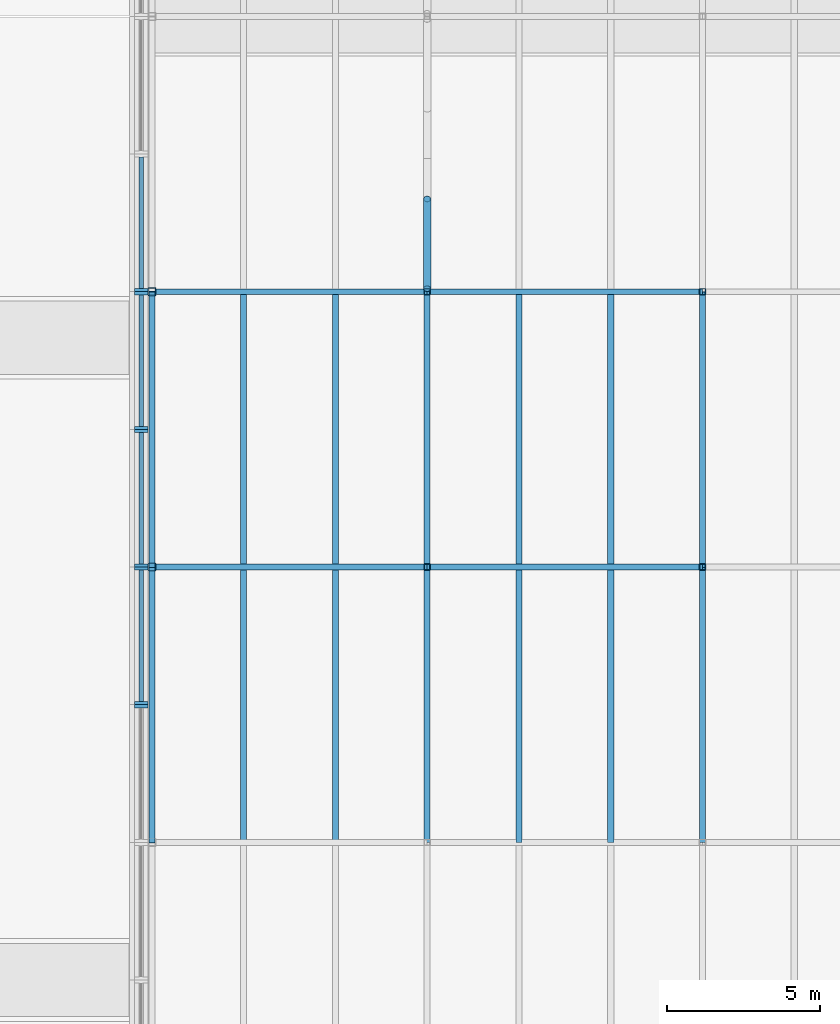
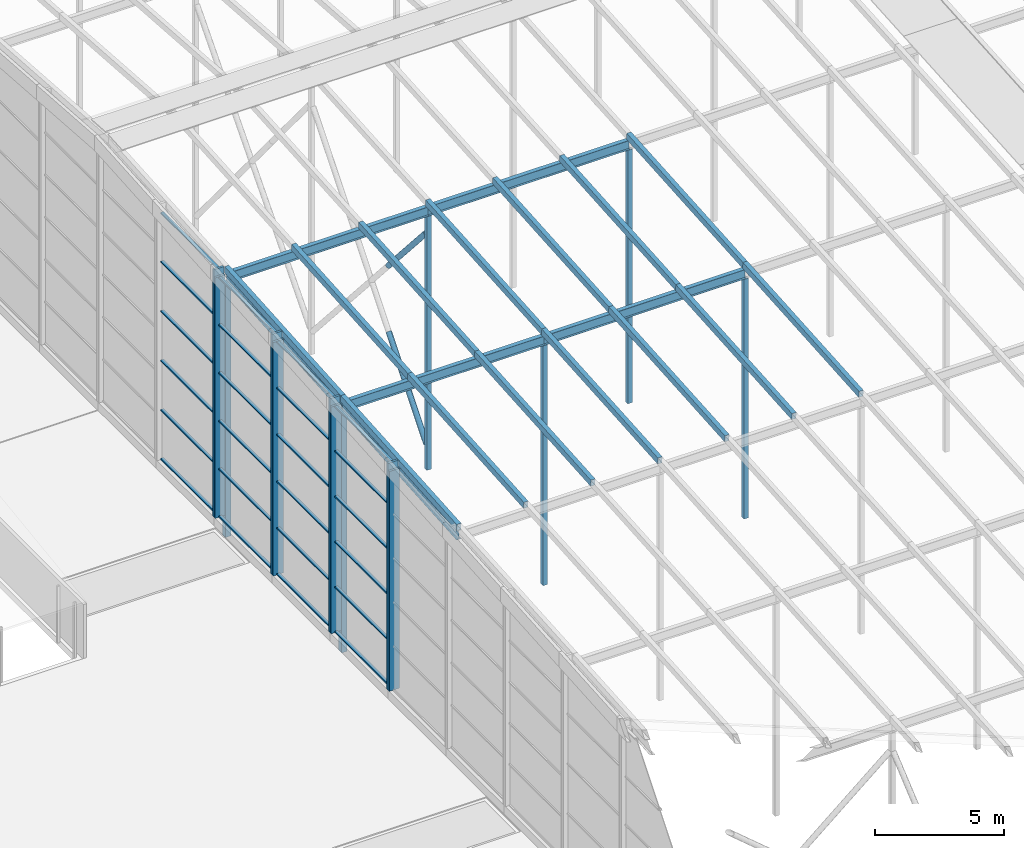
# One storey, part 10 of 84: 54 members, 6 beams, 5 elements without a shape of their own.
"""IFC4 building model written with IfcOpenShell, lengths in metres."""

from ifc_helpers import new_model, si_unit, direction, frame, origin, origin_2d, place, context, subcontext, project, spatial, rectangle, hollow_rectangle, hollow_circle, i_section, extrude, material, material_profile, profile_set, type_object, element, aggregate, save


model = new_model("IFC4")

# Units and contexts
model_context = context("Model", 3, precision=1e-05, world=origin(), true_north=direction((0.0, 1.0)))
body_context = subcontext(model_context, "Body", "Model", "MODEL_VIEW")
ifc_project = project(units=[si_unit("LENGTHUNIT", "METRE"), si_unit("AREAUNIT", "SQUARE_METRE"), si_unit("VOLUMEUNIT", "CUBIC_METRE"), si_unit("PLANEANGLEUNIT", "RADIAN"), si_unit("MASSUNIT", "GRAM", prefix="KILO")], contexts=[model_context])

# Site, building, storey
site_placement = place(None, origin())
site = spatial("IfcSite", under=ifc_project, at=site_placement, CompositionType="ELEMENT")
building_placement = place(site_placement, origin())
building = spatial("IfcBuilding", under=site, at=building_placement, Name="Silverbay Arena", CompositionType="ELEMENT")
storey_placement = place(building_placement, frame((0.0, 0.0, 47.10009765625)))
storey = spatial("IfcBuildingStorey", under=building, at=storey_placement, Name="ROOF", CompositionType="ELEMENT", Elevation=47.10009765625)

# Curtain wall, member
ifc_material_1 = material(Name="Aluminium framed glazing", Category="aluminium")
curtain_wall_type_1 = type_object("IfcCurtainWallType", Name="Curtain wall crown 4500 x 10400", PredefinedType="NOTDEFINED", material=ifc_material_1)
curtain_wall_1_placement = place(storey_placement, origin())
curtain_wall_1 = element("IfcCurtainWall", 1, at=curtain_wall_1_placement, inside=storey, type_object=curtain_wall_type_1, Name="ROOF CROWN CURTAIN WALL west bay 08", PredefinedType="NOTDEFINED")
ifc_material_2 = material(Name="Aluminium", Category="aluminium")
ifc_material_profile_1 = material_profile(ifc_material_2, rectangle(XDim=0.449951171875, YDim=0.10009765625, at=origin_2d()), Name="Mullion 100 x 450")
ifc_profile_set_1 = profile_set([ifc_material_profile_1], Name="Aluminium")
member_type_1 = type_object("IfcMemberType", Name="Mullion 100 x 450", PredefinedType="MULLION", material=ifc_profile_set_1)
placement = place(building_placement, frame((0.0, 0.0, 33.5)))
member_1_placement = place(placement, frame((80.64990234375, 58.449951171875, 14.050048828125), z_axis=(0.0, 0.0, 1.0), x_axis=(-1.0, 0.0, 0.0)))
member_1 = element("IfcMember", 2, at=member_1_placement, type_object=member_type_1, Name="CW70 mullion 2", PredefinedType="MULLION", context=body_context, shape_type="SweptSolid", body=[
    extrude(rectangle(XDim=0.449951171875, YDim=0.10009765625, at=origin_2d()), origin(), (0.0, 0.0, 1.0), 10.39990234375),
])
aggregate(curtain_wall_1, [member_1])

# Curtain wall, members
ifc_material_3 = material(Name="Aluminium framed glazing", Category="aluminium")
curtain_wall_type_2 = type_object("IfcCurtainWallType", Name="Curtain wall crown 4500 x 10725", PredefinedType="NOTDEFINED", material=ifc_material_3)
curtain_wall_2_placement = place(storey_placement, origin())
curtain_wall_2 = element("IfcCurtainWall", 3, at=curtain_wall_2_placement, inside=storey, type_object=curtain_wall_type_2, Name="ROOF CROWN CURTAIN WALL west bay 09", PredefinedType="NOTDEFINED")
member_2_placement = place(placement, frame((80.64990234375, 58.550048828125, 14.050048828125), z_axis=(0.0, 0.0, 1.0), x_axis=(-1.0, 0.0, 0.0)))
member_2 = element("IfcMember", 4, at=member_2_placement, type_object=member_type_1, Name="CW71 mullion 1", PredefinedType="MULLION", context=body_context, shape_type="SweptSolid", body=[
    extrude(rectangle(XDim=0.449951171875, YDim=0.10009765625, at=origin_2d()), origin(), (0.0, 0.0, 1.0), 10.724853515625),
])
member_3_placement = place(placement, frame((80.64990234375, 62.949951171875, 14.050048828125), z_axis=(0.0, 0.0, 1.0), x_axis=(-1.0, 0.0, 0.0)))
member_3 = element("IfcMember", 5, at=member_3_placement, type_object=member_type_1, Name="CW71 mullion 2", PredefinedType="MULLION", context=body_context, shape_type="SweptSolid", body=[
    extrude(rectangle(XDim=0.449951171875, YDim=0.10009765625, at=origin_2d()), origin(), (0.0, 0.0, 1.0), 10.724853515625),
])

ifc_material_4 = material(Name="Aluminium framed glazing", Category="aluminium")
curtain_wall_type_3 = type_object("IfcCurtainWallType", Name="Curtain wall crown 4500 x 11050", PredefinedType="NOTDEFINED", material=ifc_material_4)
curtain_wall_3_placement = place(storey_placement, origin())
curtain_wall_3 = element("IfcCurtainWall", 6, at=curtain_wall_3_placement, inside=storey, type_object=curtain_wall_type_3, Name="ROOF CROWN CURTAIN WALL west bay 10", PredefinedType="NOTDEFINED")
member_4_placement = place(placement, frame((80.64990234375, 63.050048828125, 14.050048828125), z_axis=(0.0, 0.0, 1.0), x_axis=(-1.0, 0.0, 0.0)))
member_4 = element("IfcMember", 7, at=member_4_placement, type_object=member_type_1, Name="CW72 mullion 1", PredefinedType="MULLION", context=body_context, shape_type="SweptSolid", body=[
    extrude(rectangle(XDim=0.449951171875, YDim=0.10009765625, at=origin_2d()), origin(), (0.0, 0.0, 1.0), 11.050048828125),
])
member_5_placement = place(placement, frame((80.64990234375, 67.449951171875, 14.050048828125), z_axis=(0.0, 0.0, 1.0), x_axis=(-1.0, 0.0, 0.0)))
member_5 = element("IfcMember", 8, at=member_5_placement, type_object=member_type_1, Name="CW72 mullion 2", PredefinedType="MULLION", context=body_context, shape_type="SweptSolid", body=[
    extrude(rectangle(XDim=0.449951171875, YDim=0.10009765625, at=origin_2d()), origin(), (0.0, 0.0, 1.0), 11.050048828125),
])

ifc_material_5 = material(Name="Aluminium framed glazing", Category="aluminium")
curtain_wall_type_4 = type_object("IfcCurtainWallType", Name="Curtain wall crown 4500 x 11375", PredefinedType="NOTDEFINED", material=ifc_material_5)
curtain_wall_4_placement = place(storey_placement, origin())
curtain_wall_4 = element("IfcCurtainWall", 9, at=curtain_wall_4_placement, inside=storey, type_object=curtain_wall_type_4, Name="ROOF CROWN CURTAIN WALL west bay 11", PredefinedType="NOTDEFINED")
member_6_placement = place(placement, frame((80.64990234375, 67.550048828125, 14.050048828125), z_axis=(0.0, 0.0, 1.0), x_axis=(-1.0, 0.0, 0.0)))
member_6 = element("IfcMember", 10, at=member_6_placement, type_object=member_type_1, Name="CW73 mullion 1", PredefinedType="MULLION", context=body_context, shape_type="SweptSolid", body=[
    extrude(rectangle(XDim=0.449951171875, YDim=0.10009765625, at=origin_2d()), origin(), (0.0, 0.0, 1.0), 11.375),
])
member_7_placement = place(placement, frame((80.64990234375, 71.949951171875, 14.050048828125), z_axis=(0.0, 0.0, 1.0), x_axis=(-1.0, 0.0, 0.0)))
member_7 = element("IfcMember", 11, at=member_7_placement, type_object=member_type_1, Name="CW73 mullion 2", PredefinedType="MULLION", context=body_context, shape_type="SweptSolid", body=[
    extrude(rectangle(XDim=0.449951171875, YDim=0.10009765625, at=origin_2d()), origin(), (0.0, 0.0, 1.0), 11.375),
])

# Curtain wall, member
ifc_material_6 = material(Name="Aluminium framed glazing", Category="aluminium")
curtain_wall_type_5 = type_object("IfcCurtainWallType", Name="Curtain wall crown 4500 x 11700", PredefinedType="NOTDEFINED", material=ifc_material_6)
curtain_wall_5_placement = place(storey_placement, origin())
curtain_wall_5 = element("IfcCurtainWall", 12, at=curtain_wall_5_placement, inside=storey, type_object=curtain_wall_type_5, Name="ROOF CROWN CURTAIN WALL west bay 12", PredefinedType="NOTDEFINED")
member_8_placement = place(placement, frame((80.64990234375, 72.050048828125, 14.050048828125), z_axis=(0.0, 0.0, 1.0), x_axis=(-1.0, 0.0, 0.0)))
member_8 = element("IfcMember", 13, at=member_8_placement, type_object=member_type_1, Name="CW74 mullion 1", PredefinedType="MULLION", context=body_context, shape_type="SweptSolid", body=[
    extrude(rectangle(XDim=0.449951171875, YDim=0.10009765625, at=origin_2d()), origin(), (0.0, 0.0, 1.0), 11.699951171875),
])

# Members
ifc_material_7 = material(Name="Steel S355", Category="steel")
ifc_material_profile_2 = material_profile(ifc_material_7, hollow_rectangle(XDim=0.199951171875, YDim=0.300048828125, WallThickness=0.00634765625, at=origin_2d()), Name="RHS 300x200x6.3")
ifc_profile_set_2 = profile_set([ifc_material_profile_2], Name="Steel S355")
member_type_2 = type_object("IfcMemberType", Name="Purlin RHS 300x200x6.3", PredefinedType="PURLIN", material=ifc_profile_set_2)
for number, where, z_axis, x_axis, name in (
    (14, (84.0, 54.0, 10.699462890625), (0.0, 0.997400967367, 0.07205074805), (-1.0, 0.0, 0.0), "ROOF PURLIN crown line 02 bay 04"),
    (15, (84.0, 63.0, 11.349609375), (0.0, 0.997402911363, 0.072023832195), (-1.0, 0.0, 0.0), "ROOF PURLIN crown line 02 bay 05"),
    (16, (87.0, 54.0, 10.699462890625), (0.0, 0.997400967367, 0.07205074805), (-1.0, 0.0, 0.0), "ROOF PURLIN crown line 03 bay 04"),
    (17, (87.0, 63.0, 11.349609375), (0.0, 0.997402911363, 0.072023832195), (-1.0, 0.0, 0.0), "ROOF PURLIN crown line 03 bay 05"),
    (18, (90.0, 54.0, 10.699462890625), (0.0, 0.997400967367, 0.07205074805), (-1.0, 0.0, 0.0), "ROOF PURLIN crown line 04 bay 04"),
    (19, (90.0, 63.0, 11.349609375), (0.0, 0.997402911363, 0.072023832195), (-1.0, 0.0, 0.0), "ROOF PURLIN crown line 04 bay 05"),
    (20, (93.0, 54.0, 10.699462890625), (0.0, 0.997400967367, 0.07205074805), (-1.0, 0.0, 0.0), "ROOF PURLIN crown line 05 bay 04"),
    (21, (93.0, 63.0, 11.349609375), (0.0, 0.997402911363, 0.072023832195), (-1.0, 0.0, 0.0), "ROOF PURLIN crown line 05 bay 05"),
    (22, (96.0, 54.0, 10.699462890625), (0.0, 0.997400967367, 0.07205074805), (-1.0, 0.0, 0.0), "ROOF PURLIN crown line 06 bay 04"),
    (23, (96.0, 63.0, 11.349609375), (0.0, 0.997402911363, 0.072023832195), (-1.0, 0.0, 0.0), "ROOF PURLIN crown line 06 bay 05"),
    (24, (99.0, 54.0, 10.699462890625), (0.0, 0.997400967367, 0.07205074805), (-1.0, 0.0, 0.0), "ROOF PURLIN crown line 07 bay 04"),
    (25, (99.0, 63.0, 11.349609375), (0.0, 0.997402911363, 0.072023832195), (-1.0, 0.0, 0.0), "ROOF PURLIN crown line 07 bay 05"),
):
    element("IfcMember", number, at=place(storey_placement, frame(where, z_axis=z_axis, x_axis=x_axis)), inside=storey, type_object=member_type_2, Name=name, PredefinedType="PURLIN", context=body_context, shape_type="SweptSolid", body=[
        extrude(hollow_rectangle(XDim=0.199951171875, YDim=0.300048828125, WallThickness=0.00634765625, at=origin_2d()), origin(), (0.0, 0.0, 1.0), 9.0234375),
    ])
ifc_material_8 = material(Name="Steel S355", Category="steel")
ifc_material_profile_3 = material_profile(ifc_material_8, hollow_rectangle(XDim=0.199951171875, YDim=0.300048828125, WallThickness=0.008056640625, at=origin_2d()), Name="RHS 300x200x8")
ifc_profile_set_3 = profile_set([ifc_material_profile_3], Name="Steel S355")
member_type_3 = type_object("IfcMemberType", Name="Purlin RHS 300x200x8", PredefinedType="PURLIN", material=ifc_profile_set_3)
for number, where, z_axis, x_axis, name in (
    (26, (81.0, 54.0, 10.699462890625), (0.0, 0.997400967367, 0.07205074805), (-1.0, 0.0, 0.0), "ROOF PURLIN crown line 01 bay 04"),
    (27, (81.0, 63.0, 11.349609375), (0.0, 0.997402911363, 0.072023832195), (-1.0, 0.0, 0.0), "ROOF PURLIN crown line 01 bay 05"),
):
    element("IfcMember", number, at=place(storey_placement, frame(where, z_axis=z_axis, x_axis=x_axis)), inside=storey, type_object=member_type_3, Name=name, PredefinedType="PURLIN", context=body_context, shape_type="SweptSolid", body=[
        extrude(hollow_rectangle(XDim=0.199951171875, YDim=0.300048828125, WallThickness=0.008056640625, at=origin_2d()), origin(), (0.0, 0.0, 1.0), 9.0234375),
    ])

# Beams
ifc_material_9 = material(Name="Steel S355", Category="steel")
ifc_material_profile_4 = material_profile(ifc_material_9, i_section(OverallWidth=0.18994140625, OverallDepth=0.453369140625, WebThickness=0.008544921875, FlangeThickness=0.0126953125, at=origin_2d()), Name="UB 457x191x67")
ifc_profile_set_4 = profile_set([ifc_material_profile_4], Name="Steel S355")
beam_type = type_object("IfcBeamType", Name="Ring beam UB 457x191x67", PredefinedType="BEAM", material=ifc_profile_set_4)
beam_1_placement = place(storey_placement, frame((81.094970703125, 63.0, 10.972412109375), z_axis=(1.0, 0.0, 0.0), x_axis=(0.0, 1.0, 0.0)))
element("IfcBeam", 28, at=beam_1_placement, inside=storey, type_object=beam_type, Name="RING BEAM crown row 05 10-11", PredefinedType="BEAM", context=body_context, shape_type="SweptSolid", body=[
    extrude(i_section(OverallWidth=0.18994140625, OverallDepth=0.453369140625, WebThickness=0.008544921875, FlangeThickness=0.0126953125, at=origin_2d()), origin(), (0.0, 0.0, 1.0), 8.905029296875),
])
beam_2_placement = place(storey_placement, frame((90.0, 63.0, 10.972412109375), z_axis=(1.0, 0.0, 0.0), x_axis=(0.0, 1.0, 0.0)))
element("IfcBeam", 29, at=beam_2_placement, inside=storey, type_object=beam_type, Name="RING BEAM crown row 05 11-12", PredefinedType="BEAM", context=body_context, shape_type="SweptSolid", body=[
    extrude(i_section(OverallWidth=0.18994140625, OverallDepth=0.453369140625, WebThickness=0.008544921875, FlangeThickness=0.0126953125, at=origin_2d()), origin(), (0.0, 0.0, 1.0), 9.0),
])
beam_3_placement = place(storey_placement, frame((81.094970703125, 72.0, 11.622314453125), z_axis=(1.0, 0.0, 0.0), x_axis=(0.0, 1.0, 0.0)))
element("IfcBeam", 30, at=beam_3_placement, inside=storey, type_object=beam_type, Name="RING BEAM crown row 06 10-11", PredefinedType="BEAM", context=body_context, shape_type="SweptSolid", body=[
    extrude(i_section(OverallWidth=0.18994140625, OverallDepth=0.453369140625, WebThickness=0.008544921875, FlangeThickness=0.0126953125, at=origin_2d()), origin(), (0.0, 0.0, 1.0), 8.905029296875),
])
beam_4_placement = place(storey_placement, frame((90.0, 72.0, 11.622314453125), z_axis=(1.0, 0.0, 0.0), x_axis=(0.0, 1.0, 0.0)))
element("IfcBeam", 31, at=beam_4_placement, inside=storey, type_object=beam_type, Name="RING BEAM crown row 06 11-12", PredefinedType="BEAM", context=body_context, shape_type="SweptSolid", body=[
    extrude(i_section(OverallWidth=0.18994140625, OverallDepth=0.453369140625, WebThickness=0.008544921875, FlangeThickness=0.0126953125, at=origin_2d()), origin(), (0.0, 0.0, 1.0), 9.0),
])
for number, where, z_axis, x_axis, name in (
    (32, (81.0, 54.0, 10.322509765625), (0.0, 0.997402911363, 0.072023832195), (-1.0, 0.0, 0.0), "RING BEAM crown west edge 04"),
    (33, (81.0, 63.0, 10.972412109375), (0.0, 0.997402911363, 0.072023832195), (-1.0, 0.0, 0.0), "RING BEAM crown west edge 05"),
):
    element("IfcBeam", number, at=place(storey_placement, frame(where, z_axis=z_axis, x_axis=x_axis)), inside=storey, type_object=beam_type, Name=name, PredefinedType="BEAM", context=body_context, shape_type="SweptSolid", body=[
        extrude(i_section(OverallWidth=0.18994140625, OverallDepth=0.453369140625, WebThickness=0.008544921875, FlangeThickness=0.0126953125, at=origin_2d()), origin(), (0.0, 0.0, 1.0), 9.0234375),
    ])

# Members
ifc_material_10 = material(Name="Steel S355", Category="steel")
ifc_material_profile_5 = material_profile(ifc_material_10, hollow_rectangle(XDim=0.199951171875, YDim=0.199951171875, WallThickness=0.008056640625, at=origin_2d()), Name="SHS 200x200x8")
ifc_profile_set_5 = profile_set([ifc_material_profile_5], Name="Steel S355")
member_type_4 = type_object("IfcMemberType", Name="Roof post SHS 200x200x8", PredefinedType="POST", material=ifc_profile_set_5)
member_9_placement = place(storey_placement, frame((90.0, 63.0, -0.60009765625), z_axis=(0.0, 0.0, 1.0), x_axis=(1.0, 0.0, 0.0)))
element("IfcMember", 34, at=member_9_placement, inside=storey, type_object=member_type_4, Name="ROOF CROWN POST 11 row 05", PredefinedType="POST", context=body_context, shape_type="SweptSolid", body=[
    extrude(hollow_rectangle(XDim=0.199951171875, YDim=0.199951171875, WallThickness=0.008056640625, at=origin_2d()), origin(), (0.0, 0.0, 1.0), 11.345703125),
])
member_10_placement = place(storey_placement, frame((90.0, 72.0, -0.60009765625), z_axis=(0.0, 0.0, 1.0), x_axis=(1.0, 0.0, 0.0)))
element("IfcMember", 35, at=member_10_placement, inside=storey, type_object=member_type_4, Name="ROOF CROWN POST 11 row 06", PredefinedType="POST", context=body_context, shape_type="SweptSolid", body=[
    extrude(hollow_rectangle(XDim=0.199951171875, YDim=0.199951171875, WallThickness=0.008056640625, at=origin_2d()), origin(), (0.0, 0.0, 1.0), 11.995849609375),
])
member_11_placement = place(storey_placement, frame((99.0, 63.0, -0.60009765625), z_axis=(0.0, 0.0, 1.0), x_axis=(1.0, 0.0, 0.0)))
element("IfcMember", 36, at=member_11_placement, inside=storey, type_object=member_type_4, Name="ROOF CROWN POST 12 row 05", PredefinedType="POST", context=body_context, shape_type="SweptSolid", body=[
    extrude(hollow_rectangle(XDim=0.199951171875, YDim=0.199951171875, WallThickness=0.008056640625, at=origin_2d()), origin(), (0.0, 0.0, 1.0), 11.345703125),
])
member_12_placement = place(storey_placement, frame((99.0, 72.0, -0.60009765625), z_axis=(0.0, 0.0, 1.0), x_axis=(1.0, 0.0, 0.0)))
element("IfcMember", 37, at=member_12_placement, inside=storey, type_object=member_type_4, Name="ROOF CROWN POST 12 row 06", PredefinedType="POST", context=body_context, shape_type="SweptSolid", body=[
    extrude(hollow_rectangle(XDim=0.199951171875, YDim=0.199951171875, WallThickness=0.008056640625, at=origin_2d()), origin(), (0.0, 0.0, 1.0), 11.995849609375),
])
ifc_material_11 = material(Name="Steel S355", Category="steel")
ifc_material_profile_6 = material_profile(ifc_material_11, hollow_rectangle(XDim=0.25, YDim=0.25, WallThickness=0.008056640625, at=origin_2d()), Name="SHS 250x250x8")
ifc_profile_set_6 = profile_set([ifc_material_profile_6], Name="Steel S355")
member_type_5 = type_object("IfcMemberType", Name="Roof post SHS 250x250x8", PredefinedType="POST", material=ifc_profile_set_6)
member_13_placement = place(storey_placement, frame((81.0, 63.0, -0.60009765625), z_axis=(0.0, 0.0, 1.0), x_axis=(1.0, 0.0, 0.0)))
element("IfcMember", 38, at=member_13_placement, inside=storey, type_object=member_type_5, Name="ROOF CROWN POST 10 row 05", PredefinedType="POST", context=body_context, shape_type="SweptSolid", body=[
    extrude(hollow_rectangle(XDim=0.25, YDim=0.25, WallThickness=0.008056640625, at=origin_2d()), origin(), (0.0, 0.0, 1.0), 11.345703125),
])
member_14_placement = place(storey_placement, frame((81.0, 72.0, -0.60009765625), z_axis=(0.0, 0.0, 1.0), x_axis=(1.0, 0.0, 0.0)))
element("IfcMember", 39, at=member_14_placement, inside=storey, type_object=member_type_5, Name="ROOF CROWN POST 10 row 06", PredefinedType="POST", context=body_context, shape_type="SweptSolid", body=[
    extrude(hollow_rectangle(XDim=0.25, YDim=0.25, WallThickness=0.008056640625, at=origin_2d()), origin(), (0.0, 0.0, 1.0), 11.995849609375),
])

# Member
ifc_material_12 = material(Name="Aluminium", Category="aluminium")
ifc_material_profile_7 = material_profile(ifc_material_12, rectangle(XDim=0.139892578125, YDim=0.06005859375, at=origin_2d()), Name="Transom 60 x 140")
ifc_profile_set_7 = profile_set([ifc_material_profile_7], Name="Aluminium")
member_type_6 = type_object("IfcMemberType", Name="Transom 60 x 140", PredefinedType="USERDEFINED", material=ifc_profile_set_7)
member_15_placement = place(placement, frame((80.64990234375, 58.60009765625, 14.080078125), z_axis=(0.0, 1.0, 0.0), x_axis=(-1.0, 0.0, 0.0)))
member_15 = element("IfcMember", 40, at=member_15_placement, type_object=member_type_6, Name="CW71 transom 1.1", ObjectType="TRANSOM", PredefinedType="USERDEFINED", context=body_context, shape_type="SweptSolid", body=[
    extrude(rectangle(XDim=0.139892578125, YDim=0.06005859375, at=origin_2d()), origin(), (0.0, 0.0, 1.0), 4.2998046875),
])

member_16_placement = place(placement, frame((80.64990234375, 58.60009765625, 16.195068359375), z_axis=(0.0, 1.0, 0.0), x_axis=(-1.0, 0.0, 0.0)))
member_16 = element("IfcMember", 41, at=member_16_placement, type_object=member_type_6, Name="CW71 transom 1.2", ObjectType="TRANSOM", PredefinedType="USERDEFINED", context=body_context, shape_type="SweptSolid", body=[
    extrude(rectangle(XDim=0.139892578125, YDim=0.06005859375, at=origin_2d()), origin(), (0.0, 0.0, 1.0), 4.2998046875),
])

member_17_placement = place(placement, frame((80.64990234375, 58.60009765625, 18.340087890625), z_axis=(0.0, 1.0, 0.0), x_axis=(-1.0, 0.0, 0.0)))
member_17 = element("IfcMember", 42, at=member_17_placement, type_object=member_type_6, Name="CW71 transom 1.3", ObjectType="TRANSOM", PredefinedType="USERDEFINED", context=body_context, shape_type="SweptSolid", body=[
    extrude(rectangle(XDim=0.139892578125, YDim=0.06005859375, at=origin_2d()), origin(), (0.0, 0.0, 1.0), 4.2998046875),
])

member_18_placement = place(placement, frame((80.64990234375, 58.60009765625, 20.485107421875), z_axis=(0.0, 1.0, 0.0), x_axis=(-1.0, 0.0, 0.0)))
member_18 = element("IfcMember", 43, at=member_18_placement, type_object=member_type_6, Name="CW71 transom 1.4", ObjectType="TRANSOM", PredefinedType="USERDEFINED", context=body_context, shape_type="SweptSolid", body=[
    extrude(rectangle(XDim=0.139892578125, YDim=0.06005859375, at=origin_2d()), origin(), (0.0, 0.0, 1.0), 4.2998046875),
])

member_19_placement = place(placement, frame((80.64990234375, 58.60009765625, 22.6298828125), z_axis=(0.0, 1.0, 0.0), x_axis=(-1.0, 0.0, 0.0)))
member_19 = element("IfcMember", 44, at=member_19_placement, type_object=member_type_6, Name="CW71 transom 1.5", ObjectType="TRANSOM", PredefinedType="USERDEFINED", context=body_context, shape_type="SweptSolid", body=[
    extrude(rectangle(XDim=0.139892578125, YDim=0.06005859375, at=origin_2d()), origin(), (0.0, 0.0, 1.0), 4.2998046875),
])

member_20_placement = place(placement, frame((80.64990234375, 58.60009765625, 24.7451171875), z_axis=(0.0, 1.0, 0.0), x_axis=(-1.0, 0.0, 0.0)))
member_20 = element("IfcMember", 45, at=member_20_placement, type_object=member_type_6, Name="CW71 transom 1.6", ObjectType="TRANSOM", PredefinedType="USERDEFINED", context=body_context, shape_type="SweptSolid", body=[
    extrude(rectangle(XDim=0.139892578125, YDim=0.06005859375, at=origin_2d()), origin(), (0.0, 0.0, 1.0), 4.2998046875),
])

aggregate(curtain_wall_2, [member_2, member_3, member_15, member_16, member_17, member_18, member_19, member_20])

member_21_placement = place(placement, frame((80.64990234375, 63.10009765625, 14.080078125), z_axis=(0.0, 1.0, 0.0), x_axis=(-1.0, 0.0, 0.0)))
member_21 = element("IfcMember", 46, at=member_21_placement, type_object=member_type_6, Name="CW72 transom 1.1", ObjectType="TRANSOM", PredefinedType="USERDEFINED", context=body_context, shape_type="SweptSolid", body=[
    extrude(rectangle(XDim=0.139892578125, YDim=0.06005859375, at=origin_2d()), origin(), (0.0, 0.0, 1.0), 4.2998046875),
])

member_22_placement = place(placement, frame((80.64990234375, 63.10009765625, 16.260009765625), z_axis=(0.0, 1.0, 0.0), x_axis=(-1.0, 0.0, 0.0)))
member_22 = element("IfcMember", 47, at=member_22_placement, type_object=member_type_6, Name="CW72 transom 1.2", ObjectType="TRANSOM", PredefinedType="USERDEFINED", context=body_context, shape_type="SweptSolid", body=[
    extrude(rectangle(XDim=0.139892578125, YDim=0.06005859375, at=origin_2d()), origin(), (0.0, 0.0, 1.0), 4.2998046875),
])

member_23_placement = place(placement, frame((80.64990234375, 63.10009765625, 18.469970703125), z_axis=(0.0, 1.0, 0.0), x_axis=(-1.0, 0.0, 0.0)))
member_23 = element("IfcMember", 48, at=member_23_placement, type_object=member_type_6, Name="CW72 transom 1.3", ObjectType="TRANSOM", PredefinedType="USERDEFINED", context=body_context, shape_type="SweptSolid", body=[
    extrude(rectangle(XDim=0.139892578125, YDim=0.06005859375, at=origin_2d()), origin(), (0.0, 0.0, 1.0), 4.2998046875),
])

member_24_placement = place(placement, frame((80.64990234375, 63.10009765625, 20.679931640625), z_axis=(0.0, 1.0, 0.0), x_axis=(-1.0, 0.0, 0.0)))
member_24 = element("IfcMember", 49, at=member_24_placement, type_object=member_type_6, Name="CW72 transom 1.4", ObjectType="TRANSOM", PredefinedType="USERDEFINED", context=body_context, shape_type="SweptSolid", body=[
    extrude(rectangle(XDim=0.139892578125, YDim=0.06005859375, at=origin_2d()), origin(), (0.0, 0.0, 1.0), 4.2998046875),
])

member_25_placement = place(placement, frame((80.64990234375, 63.10009765625, 22.889892578125), z_axis=(0.0, 1.0, 0.0), x_axis=(-1.0, 0.0, 0.0)))
member_25 = element("IfcMember", 50, at=member_25_placement, type_object=member_type_6, Name="CW72 transom 1.5", ObjectType="TRANSOM", PredefinedType="USERDEFINED", context=body_context, shape_type="SweptSolid", body=[
    extrude(rectangle(XDim=0.139892578125, YDim=0.06005859375, at=origin_2d()), origin(), (0.0, 0.0, 1.0), 4.2998046875),
])

member_26_placement = place(placement, frame((80.64990234375, 63.10009765625, 25.070068359375), z_axis=(0.0, 1.0, 0.0), x_axis=(-1.0, 0.0, 0.0)))
member_26 = element("IfcMember", 51, at=member_26_placement, type_object=member_type_6, Name="CW72 transom 1.6", ObjectType="TRANSOM", PredefinedType="USERDEFINED", context=body_context, shape_type="SweptSolid", body=[
    extrude(rectangle(XDim=0.139892578125, YDim=0.06005859375, at=origin_2d()), origin(), (0.0, 0.0, 1.0), 4.2998046875),
])

aggregate(curtain_wall_3, [member_4, member_5, member_21, member_22, member_23, member_24, member_25, member_26])

member_27_placement = place(placement, frame((80.64990234375, 67.60009765625, 14.080078125), z_axis=(0.0, 1.0, 0.0), x_axis=(-1.0, 0.0, 0.0)))
member_27 = element("IfcMember", 52, at=member_27_placement, type_object=member_type_6, Name="CW73 transom 1.1", ObjectType="TRANSOM", PredefinedType="USERDEFINED", context=body_context, shape_type="SweptSolid", body=[
    extrude(rectangle(XDim=0.139892578125, YDim=0.06005859375, at=origin_2d()), origin(), (0.0, 0.0, 1.0), 4.2998046875),
])

member_28_placement = place(placement, frame((80.64990234375, 67.60009765625, 16.324951171875), z_axis=(0.0, 1.0, 0.0), x_axis=(-1.0, 0.0, 0.0)))
member_28 = element("IfcMember", 53, at=member_28_placement, type_object=member_type_6, Name="CW73 transom 1.2", ObjectType="TRANSOM", PredefinedType="USERDEFINED", context=body_context, shape_type="SweptSolid", body=[
    extrude(rectangle(XDim=0.139892578125, YDim=0.06005859375, at=origin_2d()), origin(), (0.0, 0.0, 1.0), 4.2998046875),
])

member_29_placement = place(placement, frame((80.64990234375, 67.60009765625, 18.60009765625), z_axis=(0.0, 1.0, 0.0), x_axis=(-1.0, 0.0, 0.0)))
member_29 = element("IfcMember", 54, at=member_29_placement, type_object=member_type_6, Name="CW73 transom 1.3", ObjectType="TRANSOM", PredefinedType="USERDEFINED", context=body_context, shape_type="SweptSolid", body=[
    extrude(rectangle(XDim=0.139892578125, YDim=0.06005859375, at=origin_2d()), origin(), (0.0, 0.0, 1.0), 4.2998046875),
])

member_30_placement = place(placement, frame((80.64990234375, 67.60009765625, 20.875), z_axis=(0.0, 1.0, 0.0), x_axis=(-1.0, 0.0, 0.0)))
member_30 = element("IfcMember", 55, at=member_30_placement, type_object=member_type_6, Name="CW73 transom 1.4", ObjectType="TRANSOM", PredefinedType="USERDEFINED", context=body_context, shape_type="SweptSolid", body=[
    extrude(rectangle(XDim=0.139892578125, YDim=0.06005859375, at=origin_2d()), origin(), (0.0, 0.0, 1.0), 4.2998046875),
])

member_31_placement = place(placement, frame((80.64990234375, 67.60009765625, 23.14990234375), z_axis=(0.0, 1.0, 0.0), x_axis=(-1.0, 0.0, 0.0)))
member_31 = element("IfcMember", 56, at=member_31_placement, type_object=member_type_6, Name="CW73 transom 1.5", ObjectType="TRANSOM", PredefinedType="USERDEFINED", context=body_context, shape_type="SweptSolid", body=[
    extrude(rectangle(XDim=0.139892578125, YDim=0.06005859375, at=origin_2d()), origin(), (0.0, 0.0, 1.0), 4.2998046875),
])

member_32_placement = place(placement, frame((80.64990234375, 67.60009765625, 25.39501953125), z_axis=(0.0, 1.0, 0.0), x_axis=(-1.0, 0.0, 0.0)))
member_32 = element("IfcMember", 57, at=member_32_placement, type_object=member_type_6, Name="CW73 transom 1.6", ObjectType="TRANSOM", PredefinedType="USERDEFINED", context=body_context, shape_type="SweptSolid", body=[
    extrude(rectangle(XDim=0.139892578125, YDim=0.06005859375, at=origin_2d()), origin(), (0.0, 0.0, 1.0), 4.2998046875),
])

aggregate(curtain_wall_4, [member_6, member_7, member_27, member_28, member_29, member_30, member_31, member_32])

member_33_placement = place(placement, frame((80.64990234375, 72.10009765625, 14.080078125), z_axis=(0.0, 1.0, 0.0), x_axis=(-1.0, 0.0, 0.0)))
member_33 = element("IfcMember", 58, at=member_33_placement, type_object=member_type_6, Name="CW74 transom 1.1", ObjectType="TRANSOM", PredefinedType="USERDEFINED", context=body_context, shape_type="SweptSolid", body=[
    extrude(rectangle(XDim=0.139892578125, YDim=0.06005859375, at=origin_2d()), origin(), (0.0, 0.0, 1.0), 4.2998046875),
])

member_34_placement = place(placement, frame((80.64990234375, 72.10009765625, 16.389892578125), z_axis=(0.0, 1.0, 0.0), x_axis=(-1.0, 0.0, 0.0)))
member_34 = element("IfcMember", 59, at=member_34_placement, type_object=member_type_6, Name="CW74 transom 1.2", ObjectType="TRANSOM", PredefinedType="USERDEFINED", context=body_context, shape_type="SweptSolid", body=[
    extrude(rectangle(XDim=0.139892578125, YDim=0.06005859375, at=origin_2d()), origin(), (0.0, 0.0, 1.0), 4.2998046875),
])

member_35_placement = place(placement, frame((80.64990234375, 72.10009765625, 18.72998046875), z_axis=(0.0, 1.0, 0.0), x_axis=(-1.0, 0.0, 0.0)))
member_35 = element("IfcMember", 60, at=member_35_placement, type_object=member_type_6, Name="CW74 transom 1.3", ObjectType="TRANSOM", PredefinedType="USERDEFINED", context=body_context, shape_type="SweptSolid", body=[
    extrude(rectangle(XDim=0.139892578125, YDim=0.06005859375, at=origin_2d()), origin(), (0.0, 0.0, 1.0), 4.2998046875),
])

member_36_placement = place(placement, frame((80.64990234375, 72.10009765625, 21.070068359375), z_axis=(0.0, 1.0, 0.0), x_axis=(-1.0, 0.0, 0.0)))
member_36 = element("IfcMember", 61, at=member_36_placement, type_object=member_type_6, Name="CW74 transom 1.4", ObjectType="TRANSOM", PredefinedType="USERDEFINED", context=body_context, shape_type="SweptSolid", body=[
    extrude(rectangle(XDim=0.139892578125, YDim=0.06005859375, at=origin_2d()), origin(), (0.0, 0.0, 1.0), 4.2998046875),
])

member_37_placement = place(placement, frame((80.64990234375, 72.10009765625, 23.409912109375), z_axis=(0.0, 1.0, 0.0), x_axis=(-1.0, 0.0, 0.0)))
member_37 = element("IfcMember", 62, at=member_37_placement, type_object=member_type_6, Name="CW74 transom 1.5", ObjectType="TRANSOM", PredefinedType="USERDEFINED", context=body_context, shape_type="SweptSolid", body=[
    extrude(rectangle(XDim=0.139892578125, YDim=0.06005859375, at=origin_2d()), origin(), (0.0, 0.0, 1.0), 4.2998046875),
])

member_38_placement = place(placement, frame((80.64990234375, 72.10009765625, 25.719970703125), z_axis=(0.0, 1.0, 0.0), x_axis=(-1.0, 0.0, 0.0)))
member_38 = element("IfcMember", 63, at=member_38_placement, type_object=member_type_6, Name="CW74 transom 1.6", ObjectType="TRANSOM", PredefinedType="USERDEFINED", context=body_context, shape_type="SweptSolid", body=[
    extrude(rectangle(XDim=0.139892578125, YDim=0.06005859375, at=origin_2d()), origin(), (0.0, 0.0, 1.0), 4.2998046875),
])

aggregate(curtain_wall_5, [member_8, member_33, member_34, member_35, member_36, member_37, member_38])

# Members
ifc_material_13 = material(Name="Steel S355", Category="steel")
ifc_material_profile_8 = material_profile(ifc_material_13, hollow_circle(Radius=0.122314453125, WallThickness=0.00634765625, at=origin_2d()), Name="CHS 244.5x6.3")
ifc_profile_set_8 = profile_set([ifc_material_profile_8], Name="Steel S355")
member_type_7 = type_object("IfcMemberType", Name="Vertical bracing CHS 244.5x6.3", PredefinedType="BRACE", material=ifc_profile_set_8)
member_39_placement = place(storey_placement, frame((90.0, 72.10009765625, 0.5), z_axis=(0.0, 0.637388556794, 0.770542554093), x_axis=(-1.0, 0.0, 0.0)))
element("IfcMember", 64, at=member_39_placement, inside=storey, type_object=member_type_7, Name="ROOF CROWN BRACING W bay 06 Aa", PredefinedType="BRACE", context=body_context, shape_type="SweptSolid", body=[
    extrude(hollow_circle(Radius=0.122314453125, WallThickness=0.00634765625, at=origin_2d()), origin(), (0.0, 0.0, 1.0), 4.60205078125),
])
member_40_placement = place(storey_placement, frame((90.0, 72.10009765625, 10.5029296875), z_axis=(0.0, 0.660529984399, -0.750799666828), x_axis=(-1.0, 0.0, 0.0)))
element("IfcMember", 65, at=member_40_placement, inside=storey, type_object=member_type_7, Name="ROOF CROWN BRACING W bay 06 Ba", PredefinedType="BRACE", context=body_context, shape_type="SweptSolid", body=[
    extrude(hollow_circle(Radius=0.122314453125, WallThickness=0.00634765625, at=origin_2d()), origin(), (0.0, 0.0, 1.0), 4.44091796875),
])

save(model, "model.ifc")
